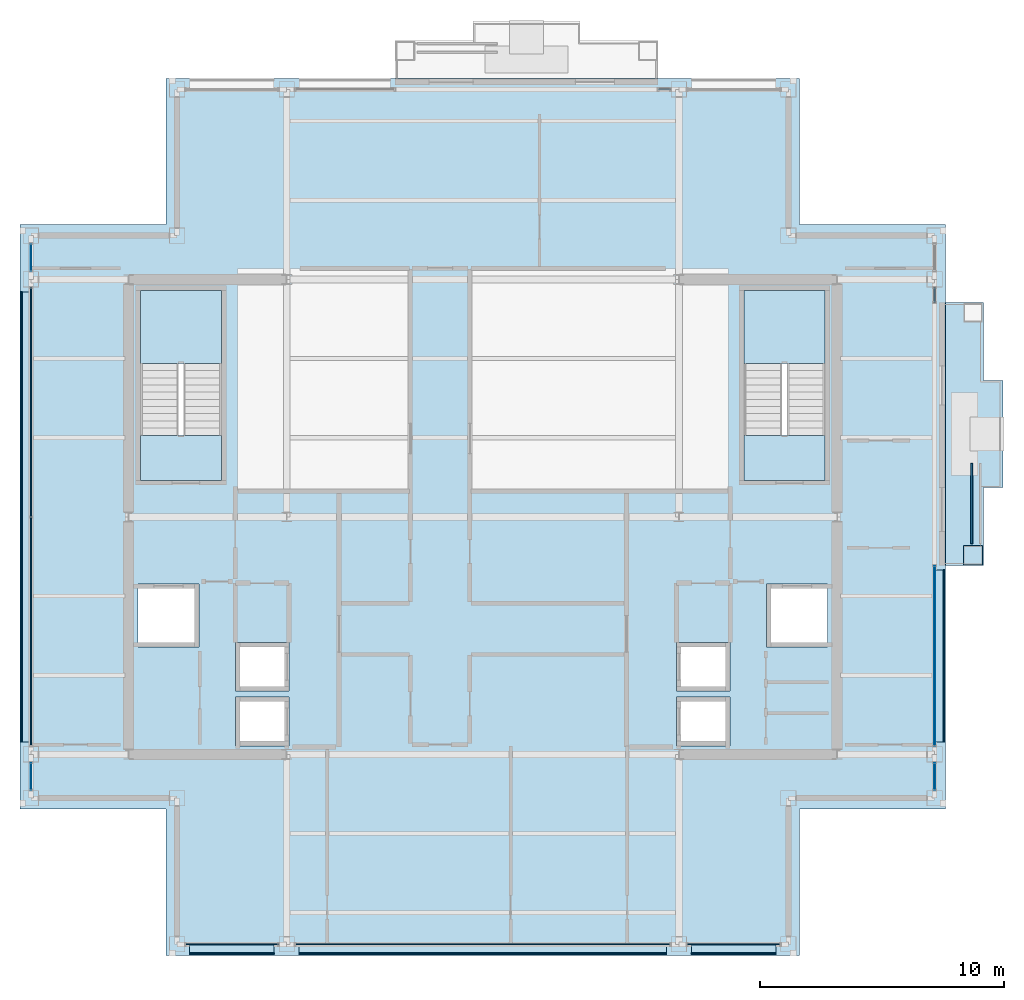
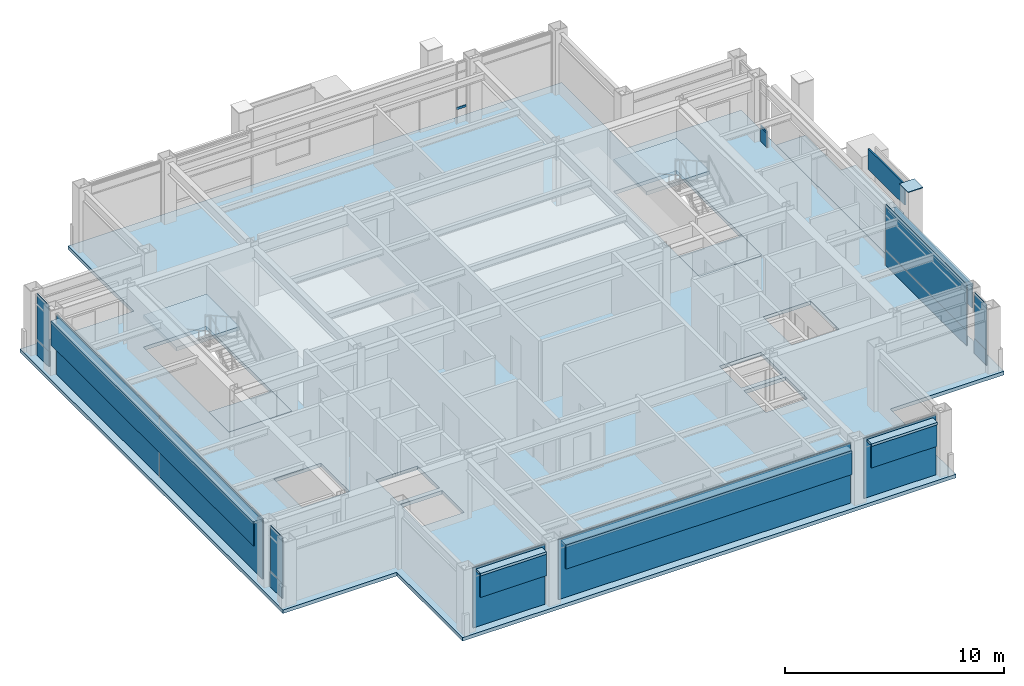
# One storey, part 17 of 24: 26 plates, 6 slabs, 2 members, 12 elements without a shape of their own.
"""IFC4 building model written with IfcOpenShell, lengths in metres."""

from ifc_helpers import new_model, si_unit, direction, frame, origin, origin_2d, place, context, subcontext, project, spatial, polyline, rectangle, hollow_rectangle, outline, extrude, material, layer, layer_set, material_profile, profile_set, type_object, element, aggregate, save


model = new_model("IFC4")

# Units and contexts
model_context = context("Model", 3, precision=1e-05, world=origin(), true_north=direction((0.0, 1.0)))
body_context = subcontext(model_context, "Body", "Model", "MODEL_VIEW")
ifc_project = project(units=[si_unit("LENGTHUNIT", "METRE"), si_unit("AREAUNIT", "SQUARE_METRE"), si_unit("VOLUMEUNIT", "CUBIC_METRE"), si_unit("PLANEANGLEUNIT", "RADIAN"), si_unit("MASSUNIT", "GRAM", prefix="KILO")], contexts=[model_context])

# Site, building, storey
site_placement = place(None, origin())
site = spatial("IfcSite", under=ifc_project, at=site_placement, CompositionType="ELEMENT")
building_placement = place(site_placement, origin())
building = spatial("IfcBuilding", under=site, at=building_placement, Name="Brelmoor Portico Tower", CompositionType="ELEMENT")
storey_placement = place(building_placement, frame((0.0, 0.0, 229.199951171875)))
storey = spatial("IfcBuildingStorey", under=building, at=storey_placement, Name="L60", CompositionType="ELEMENT", Elevation=229.199951171875)

# Curtain wall, member
ifc_material_1 = material(Name="Anodised Aluminium Alloy 6063-T6", Category="aluminium")
ifc_layer_1 = layer(ifc_material_1, 0.179931640625)
ifc_layer_set_1 = layer_set([ifc_layer_1], Name="Anodised Aluminium Alloy 6063-T6")
curtain_wall_type_1 = type_object("IfcCurtainWallType", Name="CW-TOWER-Z4", PredefinedType="NOTDEFINED", material=ifc_layer_set_1)
curtain_wall_1_placement = place(storey_placement, origin())
curtain_wall_1 = element("IfcCurtainWall", 1, at=curtain_wall_1_placement, inside=storey, type_object=curtain_wall_type_1, Name="L60 Curtain Wall CW-L60-2R-1", PredefinedType="NOTDEFINED")
ifc_material_profile = material_profile(ifc_material_1, hollow_rectangle(XDim=0.06005859375, YDim=0.125, WallThickness=0.00341796875, at=origin_2d()), Name="ALU TRANSOM 60x125")
ifc_profile_set = profile_set([ifc_material_profile], Name="Anodised Aluminium Alloy 6063-T6")
member_type = type_object("IfcMemberType", Name="MB-CW-TRAN-125", PredefinedType="USERDEFINED", material=ifc_profile_set)
member_1_placement = place(storey_placement, frame((7.199951171875, 17.550048828125, 0.85009765625), z_axis=(1.0, 0.0, 0.0), x_axis=(0.0, 1.0, 0.0)))
member_1 = element("IfcMember", 2, at=member_1_placement, type_object=member_type, Name="CW-L60-2R-1 Transom 1-00", ObjectType="TRANSOM", PredefinedType="USERDEFINED", context=body_context, shape_type="SweptSolid", body=[
    extrude(hollow_rectangle(XDim=0.06005859375, YDim=0.125, WallThickness=0.00341796875, at=origin_2d()), origin(), (0.0, 0.0, 1.0), 0.51513671875),
])
aggregate(curtain_wall_1, [member_1])

curtain_wall_2_placement = place(storey_placement, origin())
curtain_wall_2 = element("IfcCurtainWall", 3, at=curtain_wall_2_placement, inside=storey, type_object=curtain_wall_type_1, Name="L60 Curtain Wall CW-L60-4R-1", PredefinedType="NOTDEFINED")
member_2_placement = place(storey_placement, frame((18.550048828125, 8.800048828125, 0.85009765625), z_axis=(0.0, 1.0, 0.0), x_axis=(-1.0, 0.0, 0.0)))
member_2 = element("IfcMember", 4, at=member_2_placement, type_object=member_type, Name="CW-L60-4R-1 Transom 1-00", ObjectType="TRANSOM", PredefinedType="USERDEFINED", context=body_context, shape_type="SweptSolid", body=[
    extrude(hollow_rectangle(XDim=0.06005859375, YDim=0.125, WallThickness=0.00341796875, at=origin_2d()), origin(), (0.0, 0.0, 1.0), 0.614990234375),
])

# Plate
ifc_material_2 = material(Name="Steel Q355B", Category="steel")
ifc_layer_2 = layer(ifc_material_2, 0.044921875)
ifc_layer_set_2 = layer_set([ifc_layer_2], Name="Steel Q355B")
plate_type_1 = type_object("IfcPlateType", Name="PT-CAP-650", PredefinedType="SHEET", material=ifc_layer_set_2)
plate_1_placement = place(storey_placement, frame((20.1298828125, -1.580078125, 3.60009765625), z_axis=(0.0, 0.0, 1.0), x_axis=(0.0, 1.0, 0.0)))
element("IfcPlate", 5, at=plate_1_placement, inside=storey, type_object=plate_type_1, Name="L60 Proud Picture-Frame Pier PFJ-E1 Welded Head Cap Plate", PredefinedType="SHEET", context=body_context, shape_type="SweptSolid", body=[
    extrude(rectangle(XDim=0.7900390625, YDim=0.7900390625, at=origin_2d()), origin(), (0.0, 0.0, 1.0), 0.0400390625),
])

# Curtain wall, plate
curtain_wall_3_placement = place(storey_placement, origin())
curtain_wall_3 = element("IfcCurtainWall", 6, at=curtain_wall_3_placement, inside=storey, type_object=curtain_wall_type_1, Name="L60 Curtain Wall CW-L60-03-1", PredefinedType="NOTDEFINED")
ifc_material_3 = material(Name="Double-Silver Low-E Insulated Glazing", Category="glass")
ifc_layer_3 = layer(ifc_material_3, 0.035888671875)
ifc_layer_set_3 = layer_set([ifc_layer_3], Name="Double-Silver Low-E Insulated Glazing")
plate_type_2 = type_object("IfcPlateType", Name="PT-CW-GLASS", PredefinedType="CURTAIN_PANEL", material=ifc_layer_set_3)
plate_2_placement = place(storey_placement, frame((-18.550048828125, -10.64990234375, 0.85009765625), z_axis=(0.0, 0.0, 1.0), x_axis=(0.0, 1.0, 0.0)))
plate_2 = element("IfcPlate", 7, at=plate_2_placement, type_object=plate_type_2, Name="CW-L60-03-1 Vision Glass Panel 00", PredefinedType="CURTAIN_PANEL", context=body_context, shape_type="SweptSolid", body=[
    extrude(rectangle(XDim=1.10009765625, YDim=0.035888671875, at=origin_2d()), origin(), (0.0, 0.0, 1.0), 2.550048828125),
])

curtain_wall_4_placement = place(storey_placement, origin())
curtain_wall_4 = element("IfcCurtainWall", 8, at=curtain_wall_4_placement, inside=storey, type_object=curtain_wall_type_1, Name="L60 Curtain Wall CW-L60-03-3", PredefinedType="NOTDEFINED")
plate_3_placement = place(storey_placement, frame((-18.550048828125, 10.64990234375, 0.85009765625), z_axis=(0.0, 0.0, 1.0), x_axis=(0.0, 1.0, 0.0)))
plate_3 = element("IfcPlate", 9, at=plate_3_placement, type_object=plate_type_2, Name="CW-L60-03-3 Vision Glass Panel 00", PredefinedType="CURTAIN_PANEL", context=body_context, shape_type="SweptSolid", body=[
    extrude(rectangle(XDim=1.10009765625, YDim=0.035888671875, at=origin_2d()), origin(), (0.0, 0.0, 1.0), 2.550048828125),
])

curtain_wall_5_placement = place(storey_placement, origin())
curtain_wall_5 = element("IfcCurtainWall", 10, at=curtain_wall_5_placement, inside=storey, type_object=curtain_wall_type_1, Name="L60 Curtain Wall CW-L60-4L-1", PredefinedType="NOTDEFINED")
plate_4_placement = place(storey_placement, frame((18.550048828125, -10.64990234375, 0.85009765625), z_axis=(0.0, 0.0, 1.0), x_axis=(0.0, 1.0, 0.0)))
plate_4 = element("IfcPlate", 11, at=plate_4_placement, type_object=plate_type_2, Name="CW-L60-4L-1 Vision Glass Panel 00", PredefinedType="CURTAIN_PANEL", context=body_context, shape_type="SweptSolid", body=[
    extrude(rectangle(XDim=1.10009765625, YDim=0.035888671875, at=origin_2d()), origin(), (0.0, 0.0, 1.0), 2.550048828125),
])

curtain_wall_6_placement = place(storey_placement, origin())
curtain_wall_6 = element("IfcCurtainWall", 12, at=curtain_wall_6_placement, inside=storey, type_object=curtain_wall_type_1, Name="L60 Curtain Wall CW-L60-4L-2", PredefinedType="NOTDEFINED")
plate_5_placement = place(storey_placement, frame((18.550048828125, -5.70751953125, 0.85009765625), z_axis=(0.0, 0.0, 1.0), x_axis=(0.0, 1.0, 0.0)))
plate_5 = element("IfcPlate", 13, at=plate_5_placement, type_object=plate_type_2, Name="CW-L60-4L-2 Vision Glass Panel 00", PredefinedType="CURTAIN_PANEL", context=body_context, shape_type="SweptSolid", body=[
    extrude(rectangle(XDim=7.385009765625, YDim=0.035888671875, at=origin_2d()), origin(), (0.0, 0.0, 1.0), 2.550048828125),
])

ifc_layer_4 = layer(ifc_material_1, 0.179931640625)
ifc_layer_set_4 = layer_set([ifc_layer_4], Name="Anodised Aluminium Alloy 6063-T6")
curtain_wall_type_2 = type_object("IfcCurtainWallType", Name="CW-TOWER-Z4-XB", PredefinedType="NOTDEFINED", material=ifc_layer_set_4)
curtain_wall_7_placement = place(storey_placement, origin())
curtain_wall_7 = element("IfcCurtainWall", 14, at=curtain_wall_7_placement, inside=storey, type_object=curtain_wall_type_2, Name="L60 Curtain Wall CW-L60-01-1", PredefinedType="NOTDEFINED")
ifc_material_4 = material(Name="Pale Champagne Anodised Aluminium Panel", Category="aluminium")
ifc_layer_5 = layer(ifc_material_4, 0.050048828125)
ifc_layer_set_5 = layer_set([ifc_layer_5], Name="Pale Champagne Anodised Aluminium Panel")
plate_type_3 = type_object("IfcPlateType", Name="PT-CW-SPANDREL", PredefinedType="SHEET", material=ifc_layer_set_5)
plate_6_placement = place(storey_placement, frame((-10.300048828125, -17.550048828125, 0.0), z_axis=(0.0, 0.0, 1.0), x_axis=(1.0, 0.0, 0.0)))
plate_6 = element("IfcPlate", 15, at=plate_6_placement, type_object=plate_type_3, Name="CW-L60-01-1 Spandrel Panel 00", PredefinedType="SHEET", context=body_context, shape_type="SweptSolid", body=[
    extrude(rectangle(XDim=3.800048828125, YDim=0.050048828125, at=origin_2d()), origin(), (0.0, 0.0, 1.0), 3.33740234375),
])
aggregate(curtain_wall_7, [plate_6])

curtain_wall_8_placement = place(storey_placement, origin())
curtain_wall_8 = element("IfcCurtainWall", 16, at=curtain_wall_8_placement, inside=storey, type_object=curtain_wall_type_2, Name="L60 Curtain Wall CW-L60-01-2", PredefinedType="NOTDEFINED")
plate_7_placement = place(storey_placement, frame((0.0, -17.550048828125, 0.0), z_axis=(0.0, 0.0, 1.0), x_axis=(1.0, 0.0, 0.0)))
plate_7 = element("IfcPlate", 17, at=plate_7_placement, type_object=plate_type_3, Name="CW-L60-01-2 Spandrel Panel 00", PredefinedType="SHEET", context=body_context, shape_type="SweptSolid", body=[
    extrude(rectangle(XDim=15.39990234375, YDim=0.050048828125, at=origin_2d()), origin(), (0.0, 0.0, 1.0), 3.33740234375),
])
aggregate(curtain_wall_8, [plate_7])

curtain_wall_9_placement = place(storey_placement, origin())
curtain_wall_9 = element("IfcCurtainWall", 18, at=curtain_wall_9_placement, inside=storey, type_object=curtain_wall_type_2, Name="L60 Curtain Wall CW-L60-01-3", PredefinedType="NOTDEFINED")
plate_8_placement = place(storey_placement, frame((10.300048828125, -17.550048828125, 0.0), z_axis=(0.0, 0.0, 1.0), x_axis=(1.0, 0.0, 0.0)))
plate_8 = element("IfcPlate", 19, at=plate_8_placement, type_object=plate_type_3, Name="CW-L60-01-3 Spandrel Panel 00", PredefinedType="SHEET", context=body_context, shape_type="SweptSolid", body=[
    extrude(rectangle(XDim=3.800048828125, YDim=0.050048828125, at=origin_2d()), origin(), (0.0, 0.0, 1.0), 3.33740234375),
])
aggregate(curtain_wall_9, [plate_8])

# Plate
plate_9_placement = place(storey_placement, frame((-18.550048828125, -10.64990234375, 0.0), z_axis=(0.0, 0.0, 1.0), x_axis=(0.0, 1.0, 0.0)))
plate_9 = element("IfcPlate", 20, at=plate_9_placement, type_object=plate_type_3, Name="CW-L60-03-1 Spandrel Panel 00", PredefinedType="SHEET", context=body_context, shape_type="SweptSolid", body=[
    extrude(rectangle(XDim=1.10009765625, YDim=0.050048828125, at=origin_2d()), origin(), (0.0, 0.0, 1.0), 0.85009765625),
])

aggregate(curtain_wall_3, [plate_9, plate_2])

# Curtain wall, plates
curtain_wall_10_placement = place(storey_placement, origin())
curtain_wall_10 = element("IfcCurtainWall", 21, at=curtain_wall_10_placement, inside=storey, type_object=curtain_wall_type_2, Name="L60 Curtain Wall CW-L60-03-2", PredefinedType="NOTDEFINED")
plate_10_placement = place(storey_placement, frame((-18.550048828125, -4.70751953125, 0.0), z_axis=(0.0, 0.0, 1.0), x_axis=(0.0, 1.0, 0.0)))
plate_10 = element("IfcPlate", 22, at=plate_10_placement, type_object=plate_type_3, Name="CW-L60-03-2 Spandrel Panel 00", PredefinedType="SHEET", context=body_context, shape_type="SweptSolid", body=[
    extrude(rectangle(XDim=9.385009765625, YDim=0.050048828125, at=origin_2d()), origin(), (0.0, 0.0, 1.0), 3.33740234375),
])
plate_11_placement = place(storey_placement, frame((-18.550048828125, 4.70751953125, 0.0), z_axis=(0.0, 0.0, 1.0), x_axis=(0.0, 1.0, 0.0)))
plate_11 = element("IfcPlate", 23, at=plate_11_placement, type_object=plate_type_3, Name="CW-L60-03-2 Spandrel Panel 01", PredefinedType="SHEET", context=body_context, shape_type="SweptSolid", body=[
    extrude(rectangle(XDim=9.385009765625, YDim=0.050048828125, at=origin_2d()), origin(), (0.0, 0.0, 1.0), 3.33740234375),
])
aggregate(curtain_wall_10, [plate_10, plate_11])

# Plate
plate_12_placement = place(storey_placement, frame((-18.550048828125, 10.64990234375, 0.0), z_axis=(0.0, 0.0, 1.0), x_axis=(0.0, 1.0, 0.0)))
plate_12 = element("IfcPlate", 24, at=plate_12_placement, type_object=plate_type_3, Name="CW-L60-03-3 Spandrel Panel 00", PredefinedType="SHEET", context=body_context, shape_type="SweptSolid", body=[
    extrude(rectangle(XDim=1.10009765625, YDim=0.050048828125, at=origin_2d()), origin(), (0.0, 0.0, 1.0), 0.85009765625),
])

aggregate(curtain_wall_4, [plate_12, plate_3])

plate_13_placement = place(storey_placement, frame((18.550048828125, -10.64990234375, 0.0), z_axis=(0.0, 0.0, 1.0), x_axis=(0.0, 1.0, 0.0)))
plate_13 = element("IfcPlate", 25, at=plate_13_placement, type_object=plate_type_3, Name="CW-L60-4L-1 Spandrel Panel 00", PredefinedType="SHEET", context=body_context, shape_type="SweptSolid", body=[
    extrude(rectangle(XDim=1.10009765625, YDim=0.050048828125, at=origin_2d()), origin(), (0.0, 0.0, 1.0), 0.85009765625),
])

aggregate(curtain_wall_5, [plate_13, plate_4])

plate_14_placement = place(storey_placement, frame((18.550048828125, -5.70751953125, 0.0), z_axis=(0.0, 0.0, 1.0), x_axis=(0.0, 1.0, 0.0)))
plate_14 = element("IfcPlate", 26, at=plate_14_placement, type_object=plate_type_3, Name="CW-L60-4L-2 Spandrel Panel 00", PredefinedType="SHEET", context=body_context, shape_type="SweptSolid", body=[
    extrude(rectangle(XDim=7.385009765625, YDim=0.050048828125, at=origin_2d()), origin(), (0.0, 0.0, 1.0), 0.85009765625),
])

aggregate(curtain_wall_6, [plate_14, plate_5])

plate_15_placement = place(storey_placement, frame((18.550048828125, 9.107421875, 0.0), z_axis=(0.0, 0.0, 1.0), x_axis=(0.0, 1.0, 0.0)))
plate_15 = element("IfcPlate", 27, at=plate_15_placement, type_object=plate_type_3, Name="CW-L60-4R-1 Spandrel Panel 00", PredefinedType="SHEET", context=body_context, shape_type="SweptSolid", body=[
    extrude(rectangle(XDim=0.5849609375, YDim=0.050048828125, at=origin_2d()), origin(), (0.0, 0.0, 1.0), 0.85009765625),
])

aggregate(curtain_wall_2, [member_2, plate_15])

# Plates
ifc_material_5 = material(Name="Powder-Coated Aluminium Shuttered Jalousie Louvre", Category="aluminium")
ifc_layer_6 = layer(ifc_material_5, 0.06005859375)
ifc_layer_set_6 = layer_set([ifc_layer_6], Name="Powder-Coated Aluminium Shuttered Jalousie Louvre")
plate_type_4 = type_object("IfcPlateType", Name="PT-JALOUSIE-SHUTTER", PredefinedType="SHEET", material=ifc_layer_set_6)
plate_16_placement = place(storey_placement, frame((-10.300048828125, -17.929931640625, 1.8740234375), z_axis=(0.0, 0.0, 1.0), x_axis=(1.0, 0.0, 0.0)))
element("IfcPlate", 28, at=plate_16_placement, inside=storey, type_object=plate_type_4, Name="CW-L60-01-1 Perforated Jalousie Solar Screen", PredefinedType="SHEET", context=body_context, shape_type="SweptSolid", body=[
    extrude(rectangle(XDim=3.469970703125, YDim=0.06494140625, at=origin_2d()), origin(), (0.0, 0.0, 1.0), 1.325927734375),
])
plate_17_placement = place(storey_placement, frame((0.0, -17.929931640625, 1.8740234375), z_axis=(0.0, 0.0, 1.0), x_axis=(1.0, 0.0, 0.0)))
element("IfcPlate", 29, at=plate_17_placement, inside=storey, type_object=plate_type_4, Name="CW-L60-01-2 Perforated Jalousie Solar Screen", PredefinedType="SHEET", context=body_context, shape_type="SweptSolid", body=[
    extrude(rectangle(XDim=15.070068359375, YDim=0.06494140625, at=origin_2d()), origin(), (0.0, 0.0, 1.0), 1.325927734375),
])
plate_18_placement = place(storey_placement, frame((10.300048828125, -17.929931640625, 1.8740234375), z_axis=(0.0, 0.0, 1.0), x_axis=(1.0, 0.0, 0.0)))
element("IfcPlate", 30, at=plate_18_placement, inside=storey, type_object=plate_type_4, Name="CW-L60-01-3 Perforated Jalousie Solar Screen", PredefinedType="SHEET", context=body_context, shape_type="SweptSolid", body=[
    extrude(rectangle(XDim=3.469970703125, YDim=0.06494140625, at=origin_2d()), origin(), (0.0, 0.0, 1.0), 1.325927734375),
])
plate_19_placement = place(storey_placement, frame((-18.929931640625, 0.0, 1.8740234375), z_axis=(0.0, 0.0, 1.0), x_axis=(0.0, 1.0, 0.0)))
element("IfcPlate", 31, at=plate_19_placement, inside=storey, type_object=plate_type_4, Name="CW-L60-03-2 Perforated Jalousie Solar Screen", PredefinedType="SHEET", context=body_context, shape_type="SweptSolid", body=[
    extrude(rectangle(XDim=18.469970703125, YDim=0.06494140625, at=origin_2d()), origin(), (0.0, 0.0, 1.0), 1.325927734375),
])
plate_20_placement = place(storey_placement, frame((18.929931640625, -5.70751953125, 1.8740234375), z_axis=(0.0, 0.0, 1.0), x_axis=(0.0, 1.0, 0.0)))
element("IfcPlate", 32, at=plate_20_placement, inside=storey, type_object=plate_type_4, Name="CW-L60-4L-2 Perforated Jalousie Solar Screen", PredefinedType="SHEET", context=body_context, shape_type="SweptSolid", body=[
    extrude(rectangle(XDim=7.054931640625, YDim=0.06494140625, at=origin_2d()), origin(), (0.0, 0.0, 1.0), 1.325927734375),
])
plate_21_placement = place(storey_placement, frame((20.080078125, 0.550048828125, 2.275146484375), z_axis=(0.0, 0.0, 1.0), x_axis=(0.0, 1.0, 0.0)))
element("IfcPlate", 33, at=plate_21_placement, inside=storey, type_object=plate_type_4, Name="L60 Shuttered Veranda Screen E", PredefinedType="SHEET", context=body_context, shape_type="SweptSolid", body=[
    extrude(rectangle(XDim=3.300048828125, YDim=0.080078125, at=origin_2d()), origin(), (0.0, 0.0, 1.0), 1.14990234375),
])
ifc_material_6 = material(Name="Pale Champagne Perforated Aluminium Solar Screen", Category="aluminium")
ifc_layer_7 = layer(ifc_material_6, 0.054931640625)
ifc_layer_set_7 = layer_set([ifc_layer_7], Name="Pale Champagne Perforated Aluminium Solar Screen")
plate_type_5 = type_object("IfcPlateType", Name="PT-SOLAR-LOUVRE", PredefinedType="SHEET", material=ifc_layer_set_7)
plate_22_placement = place(storey_placement, frame((-10.300048828125, -17.760009765625, 3.09033203125), z_axis=(0.0, 0.0, 1.0), x_axis=(1.0, 0.0, 0.0)))
element("IfcPlate", 34, at=plate_22_placement, inside=storey, type_object=plate_type_5, Name="CW-L60-01-1 Caribbean Brise-Soleil Solar Screen", PredefinedType="SHEET", context=body_context, shape_type="SweptSolid", body=[
    extrude(rectangle(XDim=3.469970703125, YDim=0.4599609375, at=origin_2d()), origin(), (0.0, 0.0, 1.0), 0.139892578125),
])
plate_23_placement = place(storey_placement, frame((0.0, -17.760009765625, 3.09033203125), z_axis=(0.0, 0.0, 1.0), x_axis=(1.0, 0.0, 0.0)))
element("IfcPlate", 35, at=plate_23_placement, inside=storey, type_object=plate_type_5, Name="CW-L60-01-2 Caribbean Brise-Soleil Solar Screen", PredefinedType="SHEET", context=body_context, shape_type="SweptSolid", body=[
    extrude(rectangle(XDim=15.070068359375, YDim=0.4599609375, at=origin_2d()), origin(), (0.0, 0.0, 1.0), 0.139892578125),
])
plate_24_placement = place(storey_placement, frame((10.300048828125, -17.760009765625, 3.09033203125), z_axis=(0.0, 0.0, 1.0), x_axis=(1.0, 0.0, 0.0)))
element("IfcPlate", 36, at=plate_24_placement, inside=storey, type_object=plate_type_5, Name="CW-L60-01-3 Caribbean Brise-Soleil Solar Screen", PredefinedType="SHEET", context=body_context, shape_type="SweptSolid", body=[
    extrude(rectangle(XDim=3.469970703125, YDim=0.4599609375, at=origin_2d()), origin(), (0.0, 0.0, 1.0), 0.139892578125),
])
plate_25_placement = place(storey_placement, frame((-18.760009765625, 0.0, 3.09033203125), z_axis=(0.0, 0.0, 1.0), x_axis=(0.0, 1.0, 0.0)))
element("IfcPlate", 37, at=plate_25_placement, inside=storey, type_object=plate_type_5, Name="CW-L60-03-2 Caribbean Brise-Soleil Solar Screen", PredefinedType="SHEET", context=body_context, shape_type="SweptSolid", body=[
    extrude(rectangle(XDim=18.469970703125, YDim=0.4599609375, at=origin_2d()), origin(), (0.0, 0.0, 1.0), 0.139892578125),
])
plate_26_placement = place(storey_placement, frame((18.760009765625, -5.70751953125, 3.09033203125), z_axis=(0.0, 0.0, 1.0), x_axis=(0.0, 1.0, 0.0)))
element("IfcPlate", 38, at=plate_26_placement, inside=storey, type_object=plate_type_5, Name="CW-L60-4L-2 Caribbean Brise-Soleil Solar Screen", PredefinedType="SHEET", context=body_context, shape_type="SweptSolid", body=[
    extrude(rectangle(XDim=7.054931640625, YDim=0.4599609375, at=origin_2d()), origin(), (0.0, 0.0, 1.0), 0.139892578125),
])

# Slabs
ifc_material_7 = material(Name="Concrete C40", Category="concrete")
ifc_layer_8 = layer(ifc_material_7, 0.199951171875)
ifc_layer_set_8 = layer_set([ifc_layer_8], Name="Concrete C40")
slab_type_1 = type_object("IfcSlabType", Name="SL-BALCONY-200", PredefinedType="FLOOR", material=ifc_layer_set_8)
slab_1_placement = place(storey_placement, frame((0.0, 0.0, -0.199951171875)))
element("IfcSlab", 39, at=slab_1_placement, inside=storey, type_object=slab_type_1, Name="L60 Loggia Tree Balcony Slab E", PredefinedType="FLOOR", context=body_context, shape_type="SweptSolid", body=[
    extrude(outline(polyline([(19.0, -2.0), (20.550048828125, -2.0), (20.550048828125, 1.199951171875), (21.35009765625, 1.199951171875), (21.35009765625, 5.60009765625), (20.550048828125, 5.60009765625), (20.550048828125, 8.800048828125), (19.0, 8.800048828125), (19.0, -2.0)])), origin(), (0.0, 0.0, 1.0), 0.199951171875),
])
ifc_layer_9 = layer(ifc_material_7, 0.199951171875)
ifc_layer_set_9 = layer_set([ifc_layer_9], Name="Concrete C40")
slab_type_2 = type_object("IfcSlabType", Name="SL-FLOOR-200", PredefinedType="FLOOR", material=ifc_layer_set_9)
slab_2_placement = place(storey_placement, frame((0.0, 0.0, -0.199951171875)))
element("IfcSlab", 40, at=slab_2_placement, inside=storey, type_object=slab_type_2, Name="L60 Main Structural Floor Slab", PredefinedType="FLOOR", context=body_context, shape_type="SweptSolid", body=[
    extrude(outline(polyline([(-13.0, -18.0), (13.0, -18.0), (13.0, -12.0), (19.0, -12.0), (19.0, 12.0), (13.0, 12.0), (13.0, 18.0), (-13.0, 18.0), (-13.0, 12.0), (-19.0, 12.0), (-19.0, -12.0), (-13.0, -12.0), (-13.0, -18.0)]), holes=[polyline([(-10.72998046875, 1.5), (-10.72998046875, 9.300048828125), (-14.050048828125, 9.300048828125), (-14.050048828125, 1.5), (-10.72998046875, 1.5)]), polyline([(14.050048828125, 1.5), (14.050048828125, 9.300048828125), (10.72998046875, 9.300048828125), (10.72998046875, 1.5), (14.050048828125, 1.5)]), polyline([(-10.14990234375, -9.39990234375), (-7.949951171875, -9.39990234375), (-7.949951171875, -7.39990234375), (-10.14990234375, -7.39990234375), (-10.14990234375, -9.39990234375)]), polyline([(-10.14990234375, -7.14990234375), (-7.949951171875, -7.14990234375), (-7.949951171875, -5.14990234375), (-10.14990234375, -5.14990234375), (-10.14990234375, -7.14990234375)]), polyline([(7.949951171875, -9.39990234375), (10.14990234375, -9.39990234375), (10.14990234375, -7.39990234375), (7.949951171875, -7.39990234375), (7.949951171875, -9.39990234375)]), polyline([(7.949951171875, -7.14990234375), (10.14990234375, -7.14990234375), (10.14990234375, -5.14990234375), (7.949951171875, -5.14990234375), (7.949951171875, -7.14990234375)]), polyline([(-14.14990234375, -5.35009765625), (-11.64990234375, -5.35009765625), (-11.64990234375, -2.75), (-14.14990234375, -2.75), (-14.14990234375, -5.35009765625)]), polyline([(11.64990234375, -5.35009765625), (14.14990234375, -5.35009765625), (14.14990234375, -2.75), (11.64990234375, -2.75), (11.64990234375, -5.35009765625)])]), origin(), (0.0, 0.0, 1.0), 0.199951171875),
])

# Stair, slab
stair_type_1 = type_object("IfcStairType", Name="ST-CORE-W", PredefinedType="HALF_TURN_STAIR", material=ifc_material_7)
stair_1_placement = place(storey_placement, origin())
stair_1 = element("IfcStair", 41, at=stair_1_placement, inside=storey, type_object=stair_type_1, Name="L60 Protected Core Exit Stair ST-W", PredefinedType="HALF_TURN_STAIR")
ifc_layer_10 = layer(ifc_material_7, 0.179931640625)
ifc_layer_set_10 = layer_set([ifc_layer_10], Name="Concrete C40")
slab_type_3 = type_object("IfcSlabType", Name="SL-LANDING-180", PredefinedType="LANDING", material=ifc_layer_set_10)
slab_3_placement = place(storey_placement, frame((0.0, 0.0, 1.60009765625)))
slab_3 = element("IfcSlab", 42, at=slab_3_placement, type_object=slab_type_3, Name="ST-W landing 1", PredefinedType="LANDING", context=body_context, shape_type="SweptSolid", body=[
    extrude(outline(polyline([(-10.72998046875, 6.300048828125), (-10.72998046875, 9.300048828125), (-14.050048828125, 9.300048828125), (-14.050048828125, 6.300048828125), (-10.72998046875, 6.300048828125)])), origin(), (0.0, 0.0, 1.0), 0.199951171875),
])
aggregate(stair_1, [slab_3])

stair_type_2 = type_object("IfcStairType", Name="ST-CORE-E", PredefinedType="HALF_TURN_STAIR", material=ifc_material_7)
stair_2_placement = place(storey_placement, origin())
stair_2 = element("IfcStair", 43, at=stair_2_placement, inside=storey, type_object=stair_type_2, Name="L60 Protected Core Exit Stair ST-E", PredefinedType="HALF_TURN_STAIR")
slab_4_placement = place(storey_placement, frame((0.0, 0.0, 1.60009765625)))
slab_4 = element("IfcSlab", 44, at=slab_4_placement, type_object=slab_type_3, Name="ST-E landing 1", PredefinedType="LANDING", context=body_context, shape_type="SweptSolid", body=[
    extrude(outline(polyline([(14.050048828125, 6.300048828125), (14.050048828125, 9.300048828125), (10.72998046875, 9.300048828125), (10.72998046875, 6.300048828125), (14.050048828125, 6.300048828125)])), origin(), (0.0, 0.0, 1.0), 0.199951171875),
])
aggregate(stair_2, [slab_4])

# Slabs
ifc_layer_11 = layer(ifc_material_7, 0.199951171875)
ifc_layer_set_11 = layer_set([ifc_layer_11], Name="Concrete C40")
slab_type_4 = type_object("IfcSlabType", Name="SL-STAIR-FL200", PredefinedType="LANDING", material=ifc_layer_set_11)
slab_5_placement = place(storey_placement, frame((0.0, 0.0, -0.199951171875)))
element("IfcSlab", 45, at=slab_5_placement, inside=storey, type_object=slab_type_4, Name="L60 ST-W Structural Floor Landing Slab", PredefinedType="LANDING", context=body_context, shape_type="SweptSolid", body=[
    extrude(outline(polyline([(-10.72998046875, 1.5), (-10.72998046875, 3.35009765625), (-14.050048828125, 3.35009765625), (-14.050048828125, 1.5), (-10.72998046875, 1.5)])), origin(), (0.0, 0.0, 1.0), 0.199951171875),
])
slab_6_placement = place(storey_placement, frame((0.0, 0.0, -0.199951171875)))
element("IfcSlab", 46, at=slab_6_placement, inside=storey, type_object=slab_type_4, Name="L60 ST-E Structural Floor Landing Slab", PredefinedType="LANDING", context=body_context, shape_type="SweptSolid", body=[
    extrude(outline(polyline([(14.050048828125, 1.5), (14.050048828125, 3.35009765625), (10.72998046875, 3.35009765625), (10.72998046875, 1.5), (14.050048828125, 1.5)])), origin(), (0.0, 0.0, 1.0), 0.199951171875),
])

save(model, "model.ifc")
